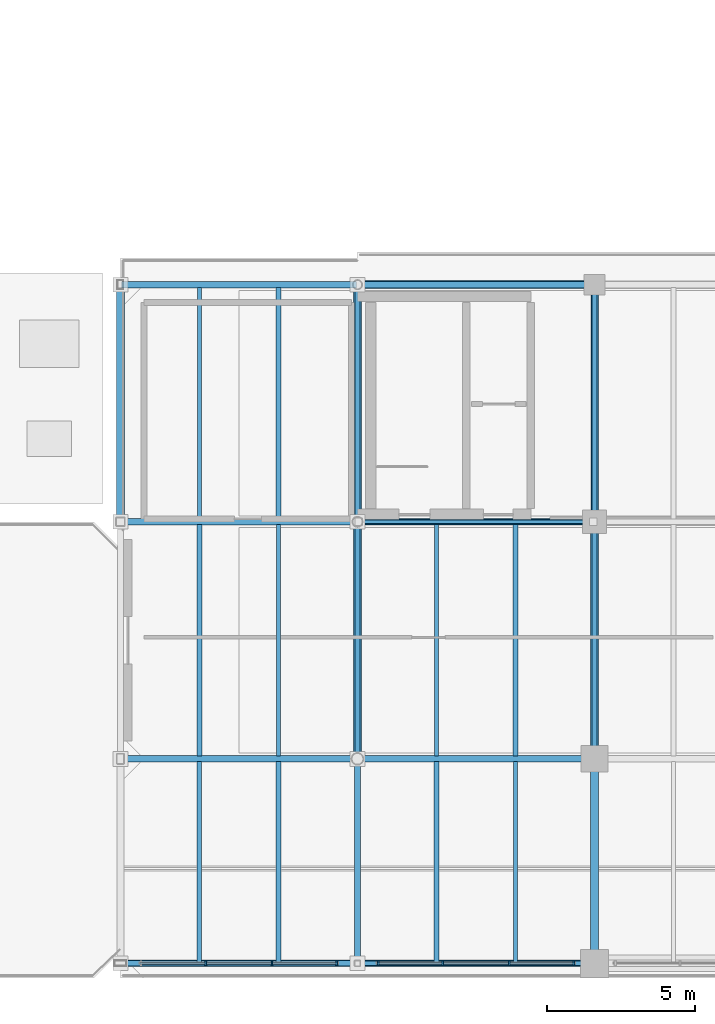
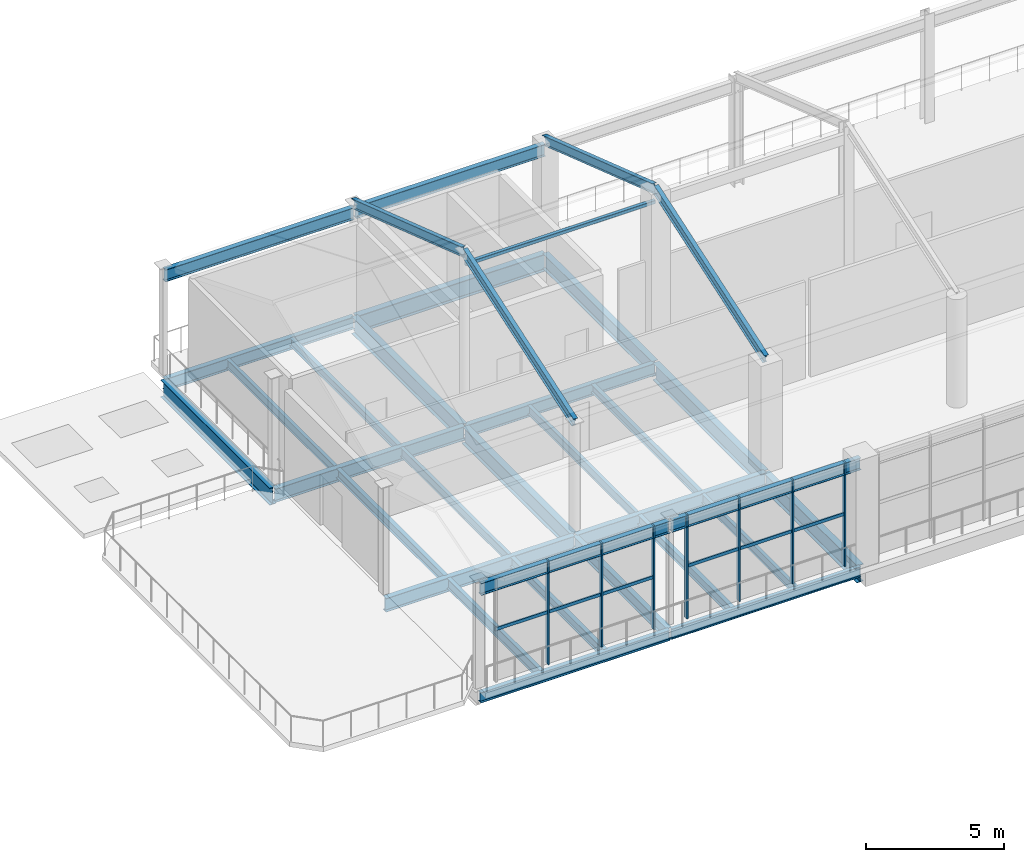
# One storey, part 19 of 51: 29 beams, 18 members, 2 elements without a shape of their own.
"""IFC4 building model written with IfcOpenShell, lengths in metres."""

from ifc_helpers import new_model, si_unit, direction, frame, origin, origin_2d, place, context, subcontext, project, spatial, rectangle, hollow_rectangle, i_section, extrude, material, material_profile, profile_set, type_object, element, aggregate, save


model = new_model("IFC4")

# Units and contexts
model_context = context("Model", 3, precision=1e-05, world=origin(), true_north=direction((0.0, 1.0)))
body_context = subcontext(model_context, "Body", "Model", "MODEL_VIEW")
ifc_project = project(units=[si_unit("LENGTHUNIT", "METRE"), si_unit("AREAUNIT", "SQUARE_METRE"), si_unit("VOLUMEUNIT", "CUBIC_METRE"), si_unit("PLANEANGLEUNIT", "RADIAN"), si_unit("MASSUNIT", "GRAM", prefix="KILO")], contexts=[model_context])

# Site, building, storey
site_placement = place(None, origin())
site = spatial("IfcSite", under=ifc_project, at=site_placement, CompositionType="ELEMENT")
building_placement = place(site_placement, origin())
building = spatial("IfcBuilding", under=site, at=building_placement, Name="Brisemont Oceanarium", CompositionType="ELEMENT")
storey_placement = place(building_placement, frame((0.0, 0.0, 15.0)))
storey = spatial("IfcBuildingStorey", under=building, at=storey_placement, Name="L03", CompositionType="ELEMENT", Elevation=15.0)

# Beams
ifc_material_1 = material(Name="Structural Steel ASTM A992 Gr.50", Category="steel")
ifc_material_profile_1 = material_profile(ifc_material_1, i_section(OverallWidth=0.1708984375, OverallDepth=0.35107421875, WebThickness=0.0068359375, FlangeThickness=0.009765625, FilletRadius=0.010009765625, at=origin_2d()), Name="W14X30")
ifc_profile_set_1 = profile_set([ifc_material_profile_1], Name="Structural Steel ASTM A992 Gr.50")
beam_type_1 = type_object("IfcBeamType", Name="BM-W14X30", PredefinedType="JOIST", material=ifc_profile_set_1)
for number, where, z_axis, x_axis, name in (
    (1, (125.333251953125, 16.090087890625, -0.41552734375), (0.0, 1.0, 0.0), (-1.0, 0.0, 0.0), "V3 L03 secondary floor beam"),
    (2, (133.333251953125, 8.090087890625, -0.41552734375), (0.0, 1.0, 0.0), (-1.0, 0.0, 0.0), "V3 L03 secondary floor beam"),
):
    element("IfcBeam", number, at=place(storey_placement, frame(where, z_axis=z_axis, x_axis=x_axis)), inside=storey, type_object=beam_type_1, Name=name, PredefinedType="JOIST", context=body_context, shape_type="SweptSolid", body=[
        extrude(i_section(OverallWidth=0.1708984375, OverallDepth=0.35107421875, WebThickness=0.0068359375, FlangeThickness=0.009765625, FilletRadius=0.010009765625, at=origin_2d()), origin(), (0.0, 0.0, 1.0), 7.81982421875),
    ])
ifc_material_2 = material(Name="Structural Steel ASTM A992 Gr.50", Category="steel")
ifc_material_profile_2 = material_profile(ifc_material_2, i_section(OverallWidth=0.139892578125, OverallDepth=0.39892578125, WebThickness=0.00634765625, FlangeThickness=0.0087890625, FilletRadius=0.010009765625, at=origin_2d()), Name="W16X26")
ifc_profile_set_2 = profile_set([ifc_material_profile_2], Name="Structural Steel ASTM A992 Gr.50")
beam_type_2 = type_object("IfcBeamType", Name="BM-W16X26", PredefinedType="JOIST", material=ifc_profile_set_2)
for number, where, z_axis, x_axis, name in (
    (3, (125.333251953125, 8.090087890625, -0.439453125), (0.0, 1.0, 0.0), (-1.0, 0.0, 0.0), "V3 L03 secondary floor beam"),
    (4, (122.666748046875, 16.090087890625, -0.439453125), (0.0, 1.0, 0.0), (-1.0, 0.0, 0.0), "V3 L03 secondary floor beam"),
):
    element("IfcBeam", number, at=place(storey_placement, frame(where, z_axis=z_axis, x_axis=x_axis)), inside=storey, type_object=beam_type_2, Name=name, PredefinedType="JOIST", context=body_context, shape_type="SweptSolid", body=[
        extrude(i_section(OverallWidth=0.139892578125, OverallDepth=0.39892578125, WebThickness=0.00634765625, FlangeThickness=0.0087890625, FilletRadius=0.010009765625, at=origin_2d()), origin(), (0.0, 0.0, 1.0), 7.81982421875),
    ])
beam_1_placement = place(storey_placement, frame((133.333251953125, 1.139892578125, -0.439453125), z_axis=(0.0, 1.0, 0.0), x_axis=(-1.0, 0.0, 0.0)))
element("IfcBeam", 5, at=beam_1_placement, inside=storey, type_object=beam_type_2, Name="V3 L03 secondary floor beam", PredefinedType="JOIST", context=body_context, shape_type="SweptSolid", body=[
    extrude(i_section(OverallWidth=0.139892578125, OverallDepth=0.39892578125, WebThickness=0.00634765625, FlangeThickness=0.0087890625, FilletRadius=0.010009765625, at=origin_2d()), origin(), (0.0, 0.0, 1.0), 6.77001953125),
])
beam_2_placement = place(storey_placement, frame((130.666748046875, 8.090087890625, -0.439453125), z_axis=(0.0, 1.0, 0.0), x_axis=(-1.0, 0.0, 0.0)))
element("IfcBeam", 6, at=beam_2_placement, inside=storey, type_object=beam_type_2, Name="V3 L03 secondary floor beam", PredefinedType="JOIST", context=body_context, shape_type="SweptSolid", body=[
    extrude(i_section(OverallWidth=0.139892578125, OverallDepth=0.39892578125, WebThickness=0.00634765625, FlangeThickness=0.0087890625, FilletRadius=0.010009765625, at=origin_2d()), origin(), (0.0, 0.0, 1.0), 7.81982421875),
])
ifc_material_3 = material(Name="Structural Steel ASTM A992 Gr.50", Category="steel")
ifc_material_profile_3 = material_profile(ifc_material_3, i_section(OverallWidth=0.177978515625, OverallDepth=0.404052734375, WebThickness=0.007568359375, FlangeThickness=0.010986328125, FilletRadius=0.010009765625, at=origin_2d()), Name="W16X36")
ifc_profile_set_3 = profile_set([ifc_material_profile_3], Name="Structural Steel ASTM A992 Gr.50")
beam_type_3 = type_object("IfcBeamType", Name="BM-W16X36", PredefinedType="JOIST", material=ifc_profile_set_3)
beam_3_placement = place(storey_placement, frame((125.333251953125, 1.139892578125, -0.44189453125), z_axis=(0.0, 1.0, 0.0), x_axis=(-1.0, 0.0, 0.0)))
element("IfcBeam", 7, at=beam_3_placement, inside=storey, type_object=beam_type_3, Name="V3 L03 secondary floor beam", PredefinedType="JOIST", context=body_context, shape_type="SweptSolid", body=[
    extrude(i_section(OverallWidth=0.177978515625, OverallDepth=0.404052734375, WebThickness=0.007568359375, FlangeThickness=0.010986328125, FilletRadius=0.010009765625, at=origin_2d()), origin(), (0.0, 0.0, 1.0), 6.77001953125),
])
beam_4_placement = place(storey_placement, frame((122.666748046875, 8.090087890625, -0.44189453125), z_axis=(0.0, 1.0, 0.0), x_axis=(-1.0, 0.0, 0.0)))
element("IfcBeam", 8, at=beam_4_placement, inside=storey, type_object=beam_type_3, Name="V3 L03 secondary floor beam", PredefinedType="JOIST", context=body_context, shape_type="SweptSolid", body=[
    extrude(i_section(OverallWidth=0.177978515625, OverallDepth=0.404052734375, WebThickness=0.007568359375, FlangeThickness=0.010986328125, FilletRadius=0.010009765625, at=origin_2d()), origin(), (0.0, 0.0, 1.0), 7.81982421875),
])
beam_5_placement = place(storey_placement, frame((130.666748046875, 1.139892578125, -0.44189453125), z_axis=(0.0, 1.0, 0.0), x_axis=(-1.0, 0.0, 0.0)))
element("IfcBeam", 9, at=beam_5_placement, inside=storey, type_object=beam_type_3, Name="V3 L03 secondary floor beam", PredefinedType="JOIST", context=body_context, shape_type="SweptSolid", body=[
    extrude(i_section(OverallWidth=0.177978515625, OverallDepth=0.404052734375, WebThickness=0.007568359375, FlangeThickness=0.010986328125, FilletRadius=0.010009765625, at=origin_2d()), origin(), (0.0, 0.0, 1.0), 6.77001953125),
])
ifc_material_4 = material(Name="Structural Steel ASTM A992 Gr.50", Category="steel")
ifc_material_profile_4 = material_profile(ifc_material_4, i_section(OverallWidth=0.153076171875, OverallDepth=0.455078125, WebThickness=0.008056640625, FlangeThickness=0.01318359375, FilletRadius=0.010986328125, at=origin_2d()), Name="W18X40")
ifc_profile_set_4 = profile_set([ifc_material_profile_4], Name="Structural Steel ASTM A992 Gr.50")
beam_type_4 = type_object("IfcBeamType", Name="BM-W18X40", PredefinedType="JOIST", material=ifc_profile_set_4)
beam_6_placement = place(storey_placement, frame((122.666748046875, 1.139892578125, -0.467529296875), z_axis=(0.0, 1.0, 0.0), x_axis=(-1.0, 0.0, 0.0)))
element("IfcBeam", 10, at=beam_6_placement, inside=storey, type_object=beam_type_4, Name="V3 L03 secondary floor beam", PredefinedType="JOIST", context=body_context, shape_type="SweptSolid", body=[
    extrude(i_section(OverallWidth=0.153076171875, OverallDepth=0.455078125, WebThickness=0.008056640625, FlangeThickness=0.01318359375, FilletRadius=0.010986328125, at=origin_2d()), origin(), (0.0, 0.0, 1.0), 6.77001953125),
])
ifc_material_5 = material(Name="Structural Steel ASTM A992 Gr.50", Category="steel")
ifc_material_profile_5 = material_profile(ifc_material_5, i_section(OverallWidth=0.154052734375, OverallDepth=0.458984375, WebThickness=0.009033203125, FlangeThickness=0.015380859375, FilletRadius=0.010986328125, at=origin_2d()), Name="W18X46")
ifc_profile_set_5 = profile_set([ifc_material_profile_5], Name="Structural Steel ASTM A992 Gr.50")
beam_type_5 = type_object("IfcBeamType", Name="BM-W18X46", PredefinedType="SPANDREL", material=ifc_profile_set_5)
beam_7_placement = place(storey_placement, frame((128.0400390625, 1.10009765625, -0.469482421875), z_axis=(1.0, 0.0, 0.0), x_axis=(0.0, 1.0, 0.0)))
element("IfcBeam", 11, at=beam_7_placement, inside=storey, type_object=beam_type_5, Name="V3 L03 EW girder", PredefinedType="SPANDREL", context=body_context, shape_type="SweptSolid", body=[
    extrude(i_section(OverallWidth=0.154052734375, OverallDepth=0.458984375, WebThickness=0.009033203125, FlangeThickness=0.015380859375, FilletRadius=0.010986328125, at=origin_2d()), origin(), (0.0, 0.0, 1.0), 7.919921875),
])
ifc_material_6 = material(Name="Structural Steel ASTM A992 Gr.50", Category="steel")
ifc_material_profile_6 = material_profile(ifc_material_6, i_section(OverallWidth=0.19091796875, OverallDepth=0.4599609375, WebThickness=0.010009765625, FlangeThickness=0.01611328125, FilletRadius=0.010986328125, at=origin_2d()), Name="W18X55")
ifc_profile_set_6 = profile_set([ifc_material_profile_6], Name="Structural Steel ASTM A992 Gr.50")
beam_type_6 = type_object("IfcBeamType", Name="BM-W18X55", PredefinedType="SPANDREL", material=ifc_profile_set_6)
beam_8_placement = place(storey_placement, frame((120.0400390625, 1.10009765625, -0.469970703125), z_axis=(1.0, 0.0, 0.0), x_axis=(0.0, 1.0, 0.0)))
element("IfcBeam", 12, at=beam_8_placement, inside=storey, type_object=beam_type_6, Name="V3 L03 EW girder", PredefinedType="SPANDREL", context=body_context, shape_type="SweptSolid", body=[
    extrude(i_section(OverallWidth=0.19091796875, OverallDepth=0.4599609375, WebThickness=0.010009765625, FlangeThickness=0.01611328125, FilletRadius=0.010986328125, at=origin_2d()), origin(), (0.0, 0.0, 1.0), 7.919921875),
])
ifc_material_7 = material(Name="Structural Steel ASTM A992 Gr.50", Category="steel")
ifc_material_profile_7 = material_profile(ifc_material_7, i_section(OverallWidth=0.2099609375, OverallDepth=0.532958984375, WebThickness=0.01025390625, FlangeThickness=0.015625, FilletRadius=0.012939453125, at=origin_2d()), Name="W21X62")
ifc_profile_set_7 = profile_set([ifc_material_profile_7], Name="Structural Steel ASTM A992 Gr.50")
beam_type_7 = type_object("IfcBeamType", Name="BM-W21X62", PredefinedType="BEAM", material=ifc_profile_set_7)
for number, where, z_axis, x_axis, name in (
    (13, (128.0400390625, 16.0, -0.506591796875), (1.0, 0.0, 0.0), (0.0, 1.0, 0.0), "V3 L03 EW girder"),
    (14, (120.0400390625, 24.0, -0.506591796875), (1.0, 0.0, 0.0), (0.0, 1.0, 0.0), "V3 L03 EW girder"),
):
    element("IfcBeam", number, at=place(storey_placement, frame(where, z_axis=z_axis, x_axis=x_axis)), inside=storey, type_object=beam_type_7, Name=name, PredefinedType="BEAM", context=body_context, shape_type="SweptSolid", body=[
        extrude(i_section(OverallWidth=0.2099609375, OverallDepth=0.532958984375, WebThickness=0.01025390625, FlangeThickness=0.015625, FilletRadius=0.012939453125, at=origin_2d()), origin(), (0.0, 0.0, 1.0), 7.919921875),
    ])
beam_9_placement = place(storey_placement, frame((128.0, 1.139892578125, -0.506591796875), z_axis=(0.0, 1.0, 0.0), x_axis=(-1.0, 0.0, 0.0)))
element("IfcBeam", 15, at=beam_9_placement, inside=storey, type_object=beam_type_7, Name="V3 L03 NS girder", PredefinedType="BEAM", context=body_context, shape_type="SweptSolid", body=[
    extrude(i_section(OverallWidth=0.2099609375, OverallDepth=0.532958984375, WebThickness=0.01025390625, FlangeThickness=0.015625, FilletRadius=0.012939453125, at=origin_2d()), origin(), (0.0, 0.0, 1.0), 6.820068359375),
])
for number, where, z_axis, x_axis, name in (
    (16, (120.0400390625, 1.10009765625, 4.33349609375), (1.0, 0.0, 0.0), (0.0, 1.0, 0.0), "V3 roof eave girder"),
    (17, (128.0400390625, 1.10009765625, 4.33349609375), (1.0, 0.0, 0.0), (0.0, 1.0, 0.0), "V3 roof eave girder"),
    (18, (120.0400390625, 24.0, 4.33349609375), (1.0, 0.0, 0.0), (0.0, 1.0, 0.0), "V3 roof eave girder"),
    (19, (128.0400390625, 24.0, 4.33349609375), (1.0, 0.0, 0.0), (0.0, 1.0, 0.0), "V3 roof eave girder"),
):
    element("IfcBeam", number, at=place(storey_placement, frame(where, z_axis=z_axis, x_axis=x_axis)), inside=storey, type_object=beam_type_7, Name=name, PredefinedType="BEAM", context=body_context, shape_type="SweptSolid", body=[
        extrude(i_section(OverallWidth=0.2099609375, OverallDepth=0.532958984375, WebThickness=0.01025390625, FlangeThickness=0.015625, FilletRadius=0.012939453125, at=origin_2d()), origin(), (0.0, 0.0, 1.0), 7.919921875),
    ])
ifc_material_8 = material(Name="Structural Steel ASTM A992 Gr.50", Category="steel")
ifc_material_profile_8 = material_profile(ifc_material_8, i_section(OverallWidth=0.22802734375, OverallDepth=0.60205078125, WebThickness=0.010498046875, FlangeThickness=0.014892578125, FilletRadius=0.012939453125, at=origin_2d()), Name="W24X68")
ifc_profile_set_8 = profile_set([ifc_material_profile_8], Name="Structural Steel ASTM A992 Gr.50")
beam_type_8 = type_object("IfcBeamType", Name="BM-W24X68", PredefinedType="BEAM", material=ifc_profile_set_8)
for number, where, z_axis, x_axis, name in (
    (20, (128.0400390625, 8.0, -0.541015625), (1.0, 0.0, 0.0), (0.0, 1.0, 0.0), "V3 L03 EW girder"),
    (21, (120.0400390625, 16.0, -0.541015625), (1.0, 0.0, 0.0), (0.0, 1.0, 0.0), "V3 L03 EW girder"),
):
    element("IfcBeam", number, at=place(storey_placement, frame(where, z_axis=z_axis, x_axis=x_axis)), inside=storey, type_object=beam_type_8, Name=name, PredefinedType="BEAM", context=body_context, shape_type="SweptSolid", body=[
        extrude(i_section(OverallWidth=0.22802734375, OverallDepth=0.60205078125, WebThickness=0.010498046875, FlangeThickness=0.014892578125, FilletRadius=0.012939453125, at=origin_2d()), origin(), (0.0, 0.0, 1.0), 7.919921875),
    ])
ifc_material_9 = material(Name="Structural Steel ASTM A992 Gr.50", Category="steel")
ifc_material_profile_9 = material_profile(ifc_material_9, i_section(OverallWidth=0.22802734375, OverallDepth=0.60791015625, WebThickness=0.01123046875, FlangeThickness=0.017333984375, FilletRadius=0.012939453125, at=origin_2d()), Name="W24X76")
ifc_profile_set_9 = profile_set([ifc_material_profile_9], Name="Structural Steel ASTM A992 Gr.50")
beam_type_9 = type_object("IfcBeamType", Name="BM-W24X76", PredefinedType="BEAM", material=ifc_profile_set_9)
beam_10_placement = place(storey_placement, frame((120.0400390625, 8.0, -0.5439453125), z_axis=(1.0, 0.0, 0.0), x_axis=(0.0, 1.0, 0.0)))
element("IfcBeam", 22, at=beam_10_placement, inside=storey, type_object=beam_type_9, Name="V3 L03 EW girder", PredefinedType="BEAM", context=body_context, shape_type="SweptSolid", body=[
    extrude(i_section(OverallWidth=0.22802734375, OverallDepth=0.60791015625, WebThickness=0.01123046875, FlangeThickness=0.017333984375, FilletRadius=0.012939453125, at=origin_2d()), origin(), (0.0, 0.0, 1.0), 7.919921875),
])
ifc_material_10 = material(Name="Structural Steel ASTM A992 Gr.50", Category="steel")
ifc_material_profile_10 = material_profile(ifc_material_10, i_section(OverallWidth=0.25390625, OverallDepth=0.68310546875, WebThickness=0.012451171875, FlangeThickness=0.018798828125, FilletRadius=0.014892578125, at=origin_2d()), Name="W27X94")
ifc_profile_set_10 = profile_set([ifc_material_profile_10], Name="Structural Steel ASTM A992 Gr.50")
beam_type_10 = type_object("IfcBeamType", Name="BM-W27X94", PredefinedType="BEAM", material=ifc_profile_set_10)
beam_11_placement = place(storey_placement, frame((136.0, 16.0400390625, -0.58154296875), z_axis=(0.0, 1.0, 0.0), x_axis=(-1.0, 0.0, 0.0)))
element("IfcBeam", 23, at=beam_11_placement, inside=storey, type_object=beam_type_10, Name="V3 L03 NS girder", PredefinedType="BEAM", context=body_context, shape_type="SweptSolid", body=[
    extrude(i_section(OverallWidth=0.25390625, OverallDepth=0.68310546875, WebThickness=0.012451171875, FlangeThickness=0.018798828125, FilletRadius=0.014892578125, at=origin_2d()), origin(), (0.0, 0.0, 1.0), 7.919921875),
])
ifc_material_11 = material(Name="Structural Steel ASTM A992 Gr.50", Category="steel")
ifc_material_profile_11 = material_profile(ifc_material_11, i_section(OverallWidth=0.26708984375, OverallDepth=0.761962890625, WebThickness=0.014404296875, FlangeThickness=0.021484375, FilletRadius=0.01611328125, at=origin_2d()), Name="W30X116")
ifc_profile_set_11 = profile_set([ifc_material_profile_11], Name="Structural Steel ASTM A992 Gr.50")
beam_type_11 = type_object("IfcBeamType", Name="BM-W30X116", PredefinedType="BEAM", material=ifc_profile_set_11)
for number, where, z_axis, x_axis, name in (
    (24, (128.0400390625, 24.0, -0.62109375), (1.0, 0.0, 0.0), (0.0, 1.0, 0.0), "V3 L03 EW girder"),
    (25, (120.0, 16.0400390625, -0.62109375), (0.0, 1.0, 0.0), (-1.0, 0.0, 0.0), "V3 L03 NS girder"),
    (26, (128.0, 8.0400390625, -0.62109375), (0.0, 1.0, 0.0), (-1.0, 0.0, 0.0), "V3 L03 NS girder"),
):
    element("IfcBeam", number, at=place(storey_placement, frame(where, z_axis=z_axis, x_axis=x_axis)), inside=storey, type_object=beam_type_11, Name=name, PredefinedType="BEAM", context=body_context, shape_type="SweptSolid", body=[
        extrude(i_section(OverallWidth=0.26708984375, OverallDepth=0.761962890625, WebThickness=0.014404296875, FlangeThickness=0.021484375, FilletRadius=0.01611328125, at=origin_2d()), origin(), (0.0, 0.0, 1.0), 7.919921875),
    ])
beam_12_placement = place(storey_placement, frame((136.0, 1.139892578125, -0.62109375), z_axis=(0.0, 1.0, 0.0), x_axis=(-1.0, 0.0, 0.0)))
element("IfcBeam", 27, at=beam_12_placement, inside=storey, type_object=beam_type_11, Name="V3 L03 NS girder", PredefinedType="BEAM", context=body_context, shape_type="SweptSolid", body=[
    extrude(i_section(OverallWidth=0.26708984375, OverallDepth=0.761962890625, WebThickness=0.014404296875, FlangeThickness=0.021484375, FilletRadius=0.01611328125, at=origin_2d()), origin(), (0.0, 0.0, 1.0), 6.820068359375),
])
ifc_material_12 = material(Name="Structural Steel ASTM A992 Gr.50", Category="steel")
ifc_material_profile_12 = material_profile(ifc_material_12, i_section(OverallWidth=0.264892578125, OverallDepth=0.7529296875, WebThickness=0.01318359375, FlangeThickness=0.01708984375, FilletRadius=0.01611328125, at=origin_2d()), Name="W30X99")
ifc_profile_set_12 = profile_set([ifc_material_profile_12], Name="Structural Steel ASTM A992 Gr.50")
beam_type_12 = type_object("IfcBeamType", Name="BM-W30X99", PredefinedType="BEAM", material=ifc_profile_set_12)
for number, where, z_axis, x_axis, name in (
    (28, (128.0, 16.0400390625, -0.616455078125), (0.0, 1.0, 0.0), (-1.0, 0.0, 0.0), "V3 L03 NS girder"),
    (29, (136.0, 8.0400390625, -0.616455078125), (0.0, 1.0, 0.0), (-1.0, 0.0, 0.0), "V3 L03 NS girder"),
):
    element("IfcBeam", number, at=place(storey_placement, frame(where, z_axis=z_axis, x_axis=x_axis)), inside=storey, type_object=beam_type_12, Name=name, PredefinedType="BEAM", context=body_context, shape_type="SweptSolid", body=[
        extrude(i_section(OverallWidth=0.264892578125, OverallDepth=0.7529296875, WebThickness=0.01318359375, FlangeThickness=0.01708984375, FilletRadius=0.01611328125, at=origin_2d()), origin(), (0.0, 0.0, 1.0), 7.919921875),
    ])

# Curtain wall, members
ifc_material_13 = material(Name="Anodized Extruded Aluminum 6063-T6", Category="aluminium")
curtain_wall_type = type_object("IfcCurtainWallType", Name="CW-EDU-58X43", PredefinedType="NOTDEFINED", material=ifc_material_13)
curtain_wall_1_placement = place(storey_placement, origin())
curtain_wall_1 = element("IfcCurtainWall", 30, at=curtain_wall_1_placement, inside=storey, type_object=curtain_wall_type, Name="CW-10 curtain wall CW-V3-S-L03-01", PredefinedType="NOTDEFINED")
ifc_material_14 = material(Name="Anodized Extruded Aluminum 6063-T6", Category="aluminium")
ifc_material_profile_13 = material_profile(ifc_material_14, rectangle(XDim=0.06494140625, YDim=0.179931640625, at=origin_2d()), Name="CWM-65X180")
ifc_profile_set_13 = profile_set([ifc_material_profile_13], Name="Anodized Extruded Aluminum 6063-T6")
member_type_1 = type_object("IfcMemberType", Name="MEM-CWM-65", PredefinedType="MULLION", material=ifc_profile_set_13)
member_1_placement = place(storey_placement, frame((122.88330078125, 1.10009765625, 0.0), z_axis=(0.0, 0.0, 1.0), x_axis=(1.0, 0.0, 0.0)))
member_1 = element("IfcMember", 31, at=member_1_placement, type_object=member_type_1, Name="CW-V3-S-L03-01 mullion 2", PredefinedType="MULLION", context=body_context, shape_type="SweptSolid", body=[
    extrude(rectangle(XDim=0.06494140625, YDim=0.179931640625, at=origin_2d()), origin(), (0.0, 0.0, 1.0), 4.60009765625),
])
member_2_placement = place(storey_placement, frame((125.11669921875, 1.10009765625, 0.0), z_axis=(0.0, 0.0, 1.0), x_axis=(1.0, 0.0, 0.0)))
member_2 = element("IfcMember", 32, at=member_2_placement, type_object=member_type_1, Name="CW-V3-S-L03-01 mullion 3", PredefinedType="MULLION", context=body_context, shape_type="SweptSolid", body=[
    extrude(rectangle(XDim=0.06494140625, YDim=0.179931640625, at=origin_2d()), origin(), (0.0, 0.0, 1.0), 4.60009765625),
])
member_3_placement = place(storey_placement, frame((127.304931640625, 1.10009765625, 0.0), z_axis=(0.0, 0.0, 1.0), x_axis=(1.0, 0.0, 0.0)))
member_3 = element("IfcMember", 33, at=member_3_placement, type_object=member_type_1, Name="CW-V3-S-L03-01 mullion 4", PredefinedType="MULLION", context=body_context, shape_type="SweptSolid", body=[
    extrude(rectangle(XDim=0.06494140625, YDim=0.179931640625, at=origin_2d()), origin(), (0.0, 0.0, 1.0), 4.60009765625),
])

curtain_wall_2_placement = place(storey_placement, origin())
curtain_wall_2 = element("IfcCurtainWall", 34, at=curtain_wall_2_placement, inside=storey, type_object=curtain_wall_type, Name="CW-10 curtain wall CW-V3-S-L03-02", PredefinedType="NOTDEFINED")
member_4_placement = place(storey_placement, frame((128.695068359375, 1.10009765625, 0.0), z_axis=(0.0, 0.0, 1.0), x_axis=(1.0, 0.0, 0.0)))
member_4 = element("IfcMember", 35, at=member_4_placement, type_object=member_type_1, Name="CW-V3-S-L03-02 mullion 1", PredefinedType="MULLION", context=body_context, shape_type="SweptSolid", body=[
    extrude(rectangle(XDim=0.06494140625, YDim=0.179931640625, at=origin_2d()), origin(), (0.0, 0.0, 1.0), 4.60009765625),
])
member_5_placement = place(storey_placement, frame((130.88330078125, 1.10009765625, 0.0), z_axis=(0.0, 0.0, 1.0), x_axis=(1.0, 0.0, 0.0)))
member_5 = element("IfcMember", 36, at=member_5_placement, type_object=member_type_1, Name="CW-V3-S-L03-02 mullion 2", PredefinedType="MULLION", context=body_context, shape_type="SweptSolid", body=[
    extrude(rectangle(XDim=0.06494140625, YDim=0.179931640625, at=origin_2d()), origin(), (0.0, 0.0, 1.0), 4.60009765625),
])
member_6_placement = place(storey_placement, frame((133.11669921875, 1.10009765625, 0.0), z_axis=(0.0, 0.0, 1.0), x_axis=(1.0, 0.0, 0.0)))
member_6 = element("IfcMember", 37, at=member_6_placement, type_object=member_type_1, Name="CW-V3-S-L03-02 mullion 3", PredefinedType="MULLION", context=body_context, shape_type="SweptSolid", body=[
    extrude(rectangle(XDim=0.06494140625, YDim=0.179931640625, at=origin_2d()), origin(), (0.0, 0.0, 1.0), 4.60009765625),
])
member_7_placement = place(storey_placement, frame((135.304931640625, 1.10009765625, 0.0), z_axis=(0.0, 0.0, 1.0), x_axis=(1.0, 0.0, 0.0)))
member_7 = element("IfcMember", 38, at=member_7_placement, type_object=member_type_1, Name="CW-V3-S-L03-02 mullion 4", PredefinedType="MULLION", context=body_context, shape_type="SweptSolid", body=[
    extrude(rectangle(XDim=0.06494140625, YDim=0.179931640625, at=origin_2d()), origin(), (0.0, 0.0, 1.0), 4.60009765625),
])

# Member
ifc_material_15 = material(Name="Anodized Extruded Aluminum 6063-T6", Category="aluminium")
ifc_material_profile_14 = material_profile(ifc_material_15, rectangle(XDim=0.06494140625, YDim=0.139892578125, at=origin_2d()), Name="CWT-65X140")
ifc_profile_set_14 = profile_set([ifc_material_profile_14], Name="Anodized Extruded Aluminum 6063-T6")
member_type_2 = type_object("IfcMemberType", Name="MEM-CWT-65", PredefinedType="USERDEFINED", material=ifc_profile_set_14)
member_8_placement = place(storey_placement, frame((120.6650390625, 1.10009765625, 2.300048828125), z_axis=(1.0, 0.0, 0.0), x_axis=(0.0, 1.0, 0.0)))
member_8 = element("IfcMember", 39, at=member_8_placement, type_object=member_type_2, Name="CW-V3-S-L03-01 transom 1.1", ObjectType="TRANSOM", PredefinedType="USERDEFINED", context=body_context, shape_type="SweptSolid", body=[
    extrude(rectangle(XDim=0.06494140625, YDim=0.139892578125, at=origin_2d()), origin(), (0.0, 0.0, 1.0), 2.203369140625),
])

member_9_placement = place(storey_placement, frame((122.898193359375, 1.10009765625, 2.300048828125), z_axis=(1.0, 0.0, 0.0), x_axis=(0.0, 1.0, 0.0)))
member_9 = element("IfcMember", 40, at=member_9_placement, type_object=member_type_2, Name="CW-V3-S-L03-01 transom 2.1", ObjectType="TRANSOM", PredefinedType="USERDEFINED", context=body_context, shape_type="SweptSolid", body=[
    extrude(rectangle(XDim=0.06494140625, YDim=0.139892578125, at=origin_2d()), origin(), (0.0, 0.0, 1.0), 2.20361328125),
])

member_10_placement = place(storey_placement, frame((125.131591796875, 1.10009765625, 2.300048828125), z_axis=(1.0, 0.0, 0.0), x_axis=(0.0, 1.0, 0.0)))
member_10 = element("IfcMember", 41, at=member_10_placement, type_object=member_type_2, Name="CW-V3-S-L03-01 transom 3.1", ObjectType="TRANSOM", PredefinedType="USERDEFINED", context=body_context, shape_type="SweptSolid", body=[
    extrude(rectangle(XDim=0.06494140625, YDim=0.139892578125, at=origin_2d()), origin(), (0.0, 0.0, 1.0), 2.203369140625),
])

aggregate(curtain_wall_1, [member_1, member_2, member_3, member_8, member_9, member_10])

member_11_placement = place(storey_placement, frame((128.6650390625, 1.10009765625, 2.300048828125), z_axis=(1.0, 0.0, 0.0), x_axis=(0.0, 1.0, 0.0)))
member_11 = element("IfcMember", 42, at=member_11_placement, type_object=member_type_2, Name="CW-V3-S-L03-02 transom 1.1", ObjectType="TRANSOM", PredefinedType="USERDEFINED", context=body_context, shape_type="SweptSolid", body=[
    extrude(rectangle(XDim=0.06494140625, YDim=0.139892578125, at=origin_2d()), origin(), (0.0, 0.0, 1.0), 2.203369140625),
])

member_12_placement = place(storey_placement, frame((130.898193359375, 1.10009765625, 2.300048828125), z_axis=(1.0, 0.0, 0.0), x_axis=(0.0, 1.0, 0.0)))
member_12 = element("IfcMember", 43, at=member_12_placement, type_object=member_type_2, Name="CW-V3-S-L03-02 transom 2.1", ObjectType="TRANSOM", PredefinedType="USERDEFINED", context=body_context, shape_type="SweptSolid", body=[
    extrude(rectangle(XDim=0.06494140625, YDim=0.139892578125, at=origin_2d()), origin(), (0.0, 0.0, 1.0), 2.20361328125),
])

member_13_placement = place(storey_placement, frame((133.131591796875, 1.10009765625, 2.300048828125), z_axis=(1.0, 0.0, 0.0), x_axis=(0.0, 1.0, 0.0)))
member_13 = element("IfcMember", 44, at=member_13_placement, type_object=member_type_2, Name="CW-V3-S-L03-02 transom 3.1", ObjectType="TRANSOM", PredefinedType="USERDEFINED", context=body_context, shape_type="SweptSolid", body=[
    extrude(rectangle(XDim=0.06494140625, YDim=0.139892578125, at=origin_2d()), origin(), (0.0, 0.0, 1.0), 2.203369140625),
])

aggregate(curtain_wall_2, [member_4, member_5, member_6, member_7, member_11, member_12, member_13])

# Members
ifc_material_16 = material(Name="Structural Steel ASTM A500 Gr.C", Category="steel")
ifc_material_profile_15 = material_profile(ifc_material_16, hollow_rectangle(XDim=0.152099609375, YDim=0.152099609375, WallThickness=0.0087890625, InnerFilletRadius=0.009033203125, OuterFilletRadius=0.01806640625, at=origin_2d()), Name="HSS6X6X3/8")
ifc_profile_set_15 = profile_set([ifc_material_profile_15], Name="Structural Steel ASTM A500 Gr.C")
member_type_3 = type_object("IfcMemberType", Name="MEM-PU-HSS6X6", PredefinedType="PURLIN", material=ifc_profile_set_15)
member_14_placement = place(storey_placement, frame((128.0400390625, 16.0, 6.8701171875), z_axis=(1.0, 0.0, 0.0), x_axis=(0.0, 1.0, 0.0)))
element("IfcMember", 45, at=member_14_placement, inside=storey, type_object=member_type_3, Name="V3 ridge purlin 1", PredefinedType="PURLIN", context=body_context, shape_type="SweptSolid", body=[
    extrude(hollow_rectangle(XDim=0.152099609375, YDim=0.152099609375, WallThickness=0.0087890625, InnerFilletRadius=0.009033203125, OuterFilletRadius=0.01806640625, at=origin_2d()), origin(), (0.0, 0.0, 1.0), 7.919921875),
])
ifc_material_17 = material(Name="Structural Steel ASTM A992 Gr.50", Category="steel")
ifc_material_profile_16 = material_profile(ifc_material_17, i_section(OverallWidth=0.177978515625, OverallDepth=0.404052734375, WebThickness=0.007568359375, FlangeThickness=0.010986328125, FilletRadius=0.010009765625, at=origin_2d()), Name="W16X36")
ifc_profile_set_16 = profile_set([ifc_material_profile_16], Name="Structural Steel ASTM A992 Gr.50")
member_type_4 = type_object("IfcMemberType", Name="MEM-RF-W16X36", PredefinedType="RAFTER", material=ifc_profile_set_16)
for number, where, z_axis, x_axis, name in (
    (46, (128.0, 8.0, 4.719970703125), (0.0, 0.947494031165, 0.319773452474), (-1.0, 0.0, 0.0), "V3 pitched roof rafter 1A"),
    (47, (128.0, 24.0, 4.719970703125), (0.0, -0.947494031165, 0.319773452474), (1.0, 0.0, 0.0), "V3 pitched roof rafter 1B"),
    (48, (136.0, 8.0, 4.719970703125), (0.0, 0.947494031165, 0.319773452474), (-1.0, 0.0, 0.0), "V3 pitched roof rafter 2A"),
    (49, (136.0, 24.0, 4.719970703125), (0.0, -0.947494031165, 0.319773452474), (1.0, 0.0, 0.0), "V3 pitched roof rafter 2B"),
):
    element("IfcMember", number, at=place(storey_placement, frame(where, z_axis=z_axis, x_axis=x_axis)), inside=storey, type_object=member_type_4, Name=name, PredefinedType="RAFTER", context=body_context, shape_type="SweptSolid", body=[
        extrude(i_section(OverallWidth=0.177978515625, OverallDepth=0.404052734375, WebThickness=0.007568359375, FlangeThickness=0.010986328125, FilletRadius=0.010009765625, at=origin_2d()), origin(), (0.0, 0.0, 1.0), 8.443359375),
    ])

save(model, "model.ifc")
